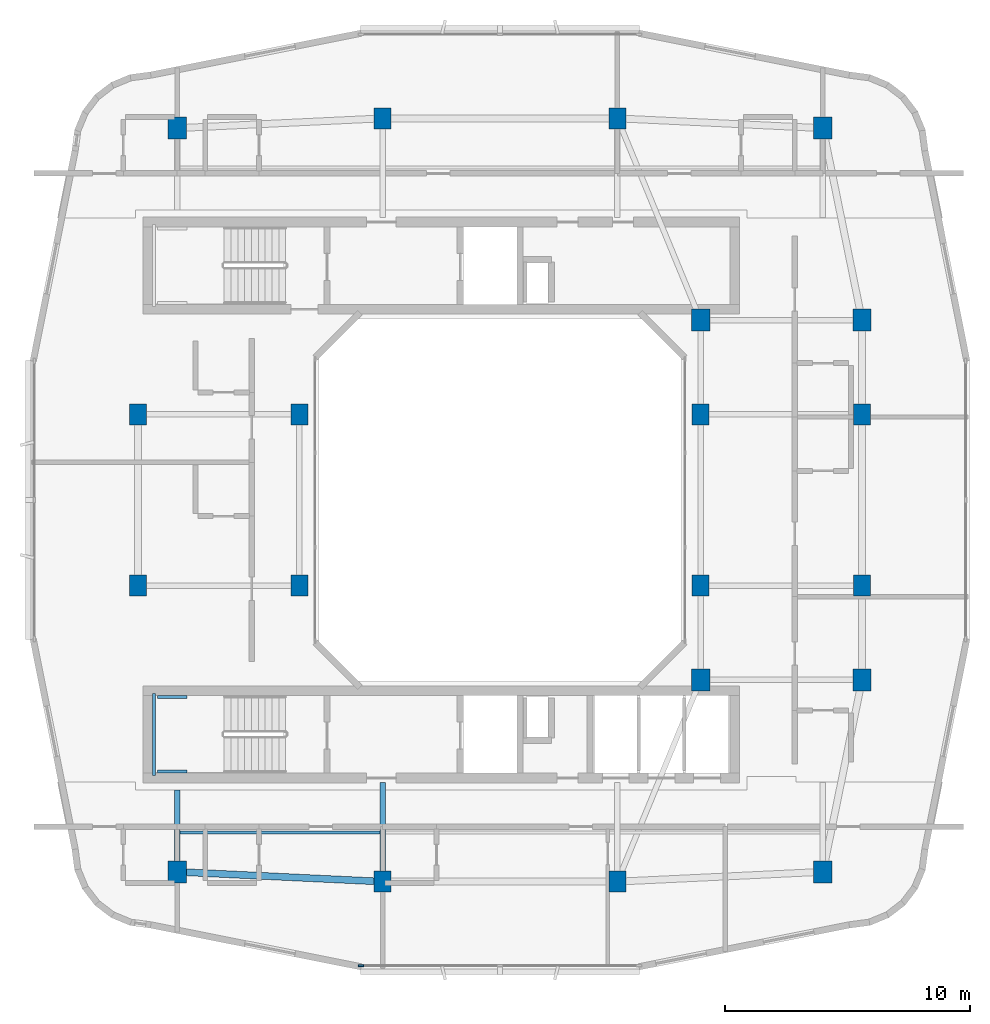
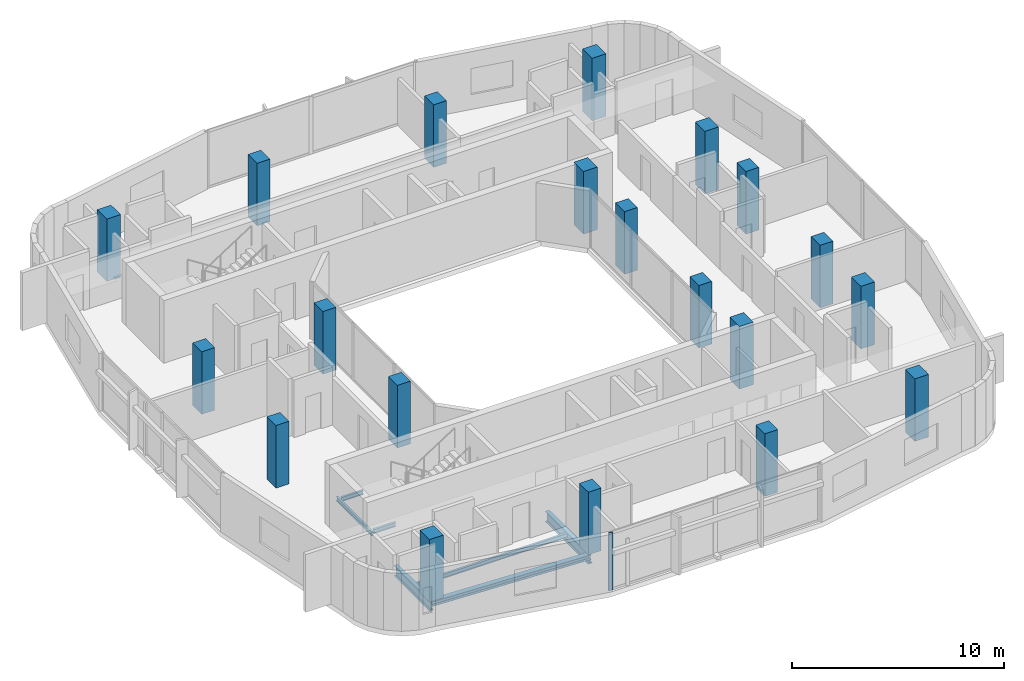
# One storey, part 1 of 14: 20 columns, 7 beams, 1 member, 1 element without a shape of its own.
"""IFC4 building model written with IfcOpenShell, lengths in metres."""

from ifc_helpers import new_model, si_unit, derived_unit, direction, frame, origin, origin_2d, place, context, subcontext, project, spatial, rectangle, i_section, extrude, material, layer, layer_set, material_profile, profile_set, type_object, element, aggregate, save


model = new_model("IFC4")

# Units and contexts
model_context = context("Model", 3, precision=1e-05, world=origin(), true_north=direction((0.0, 1.0)))
body_context = subcontext(model_context, "Body", "Model", "MODEL_VIEW")
ifc_project = project(units=[si_unit("LENGTHUNIT", "METRE"), si_unit("AREAUNIT", "SQUARE_METRE"), si_unit("VOLUMEUNIT", "CUBIC_METRE"), si_unit("PLANEANGLEUNIT", "RADIAN"), si_unit("MASSUNIT", "GRAM", prefix="KILO"), derived_unit("THERMALTRANSMITTANCEUNIT", [(si_unit("POWERUNIT", "WATT"), 1), (si_unit("LENGTHUNIT", "METRE"), -2), (si_unit("THERMODYNAMICTEMPERATUREUNIT", "KELVIN"), -1)])], contexts=[model_context])

# Site, building, storey
site_placement = place(None, origin())
site = spatial("IfcSite", under=ifc_project, at=site_placement, CompositionType="ELEMENT")
building_placement = place(site_placement, origin())
building = spatial("IfcBuilding", under=site, at=building_placement, Name="Kivonza Crest Hotel", CompositionType="ELEMENT")
storey_placement = place(building_placement, frame((0.0, 0.0, 202.699951171875)))
storey = spatial("IfcBuildingStorey", under=building, at=storey_placement, Name="L55", CompositionType="ELEMENT", Elevation=202.699951171875)

# Columns
ifc_material_1 = material(Name="Concrete C50/60", Category="concrete")
ifc_material_profile_1 = material_profile(ifc_material_1, rectangle(XDim=0.699951171875, YDim=0.85009765625, at=origin_2d()), Name="RC 850x700")
ifc_profile_set_1 = profile_set([ifc_material_profile_1], Name="Concrete C50/60")
column_type_1 = type_object("IfcColumnType", Name="CL-RC-850x700", PredefinedType="COLUMN", material=ifc_profile_set_1)
for number, where, z_axis, x_axis, name in (
    (1, (16.199951171875, 9.39990234375, 0.0), (0.0, 0.0, 1.0), (1.0, 0.0, 0.0), "Tower T1 L55 column S1"),
    (2, (25.800048828125, 9.39990234375, 0.0), (0.0, 0.0, 1.0), (1.0, 0.0, 0.0), "Tower T1 L55 column S2"),
    (3, (16.199951171875, 40.60009765625, 0.0), (0.0, 0.0, 1.0), (1.0, 0.0, 0.0), "Tower T1 L55 column N1"),
    (4, (25.800048828125, 40.60009765625, 0.0), (0.0, 0.0, 1.0), (1.0, 0.0, 0.0), "Tower T1 L55 column N2"),
    (5, (6.199951171875, 21.5, 0.0), (0.0, 0.0, 1.0), (1.0, 0.0, 0.0), "Tower T1 L55 column W1"),
    (6, (6.199951171875, 28.5, 0.0), (0.0, 0.0, 1.0), (1.0, 0.0, 0.0), "Tower T1 L55 column W2"),
    (7, (35.800048828125, 21.5, 0.0), (0.0, 0.0, 1.0), (1.0, 0.0, 0.0), "Tower T1 L55 column E1"),
    (8, (35.800048828125, 28.5, 0.0), (0.0, 0.0, 1.0), (1.0, 0.0, 0.0), "Tower T1 L55 column E2"),
    (9, (12.800048828125, 21.5, 0.0), (0.0, 0.0, 1.0), (1.0, 0.0, 0.0), "Tower T1 L55 column WL1"),
    (10, (12.800048828125, 28.5, 0.0), (0.0, 0.0, 1.0), (1.0, 0.0, 0.0), "Tower T1 L55 column WL2"),
    (11, (29.199951171875, 21.5, 0.0), (0.0, 0.0, 1.0), (1.0, 0.0, 0.0), "Tower T1 L55 column WR1"),
    (12, (29.199951171875, 28.5, 0.0), (0.0, 0.0, 1.0), (1.0, 0.0, 0.0), "Tower T1 L55 column WR2"),
):
    element("IfcColumn", number, at=place(storey_placement, frame(where, z_axis=z_axis, x_axis=x_axis)), inside=storey, type_object=column_type_1, Name=name, PredefinedType="COLUMN", context=body_context, shape_type="SweptSolid", body=[
        extrude(rectangle(XDim=0.699951171875, YDim=0.85009765625, at=origin_2d()), origin(), (0.0, 0.0, 1.0), 3.60009765625),
    ])
ifc_material_profile_2 = material_profile(ifc_material_1, rectangle(XDim=0.75, YDim=0.89990234375, at=origin_2d()), Name="RC 900x750")
ifc_profile_set_2 = profile_set([ifc_material_profile_2], Name="Concrete C50/60")
column_type_2 = type_object("IfcColumnType", Name="CL-RC-900x750", PredefinedType="COLUMN", material=ifc_profile_set_2)
for number, where, z_axis, x_axis, name in (
    (13, (7.800048828125, 9.800048828125, 0.0), (0.0, 0.0, 1.0), (1.0, 0.0, 0.0), "Tower T1 L55 column SW"),
    (14, (34.199951171875, 9.800048828125, 0.0), (0.0, 0.0, 1.0), (1.0, 0.0, 0.0), "Tower T1 L55 column SE"),
    (15, (34.199951171875, 40.199951171875, 0.0), (0.0, 0.0, 1.0), (1.0, 0.0, 0.0), "Tower T1 L55 column NE"),
    (16, (7.800048828125, 40.199951171875, 0.0), (0.0, 0.0, 1.0), (1.0, 0.0, 0.0), "Tower T1 L55 column NW"),
    (17, (35.800048828125, 17.64990234375, 0.0), (0.0, 0.0, 1.0), (1.0, 0.0, 0.0), "Tower T1 L55 column PSE"),
    (18, (35.800048828125, 32.35009765625, 0.0), (0.0, 0.0, 1.0), (1.0, 0.0, 0.0), "Tower T1 L55 column PNE"),
    (19, (29.199951171875, 17.64990234375, 0.0), (0.0, 0.0, 1.0), (1.0, 0.0, 0.0), "Tower T1 L55 column TSE"),
    (20, (29.199951171875, 32.35009765625, 0.0), (0.0, 0.0, 1.0), (1.0, 0.0, 0.0), "Tower T1 L55 column TNE"),
):
    element("IfcColumn", number, at=place(storey_placement, frame(where, z_axis=z_axis, x_axis=x_axis)), inside=storey, type_object=column_type_2, Name=name, PredefinedType="COLUMN", context=body_context, shape_type="SweptSolid", body=[
        extrude(rectangle(XDim=0.75, YDim=0.89990234375, at=origin_2d()), origin(), (0.0, 0.0, 1.0), 3.60009765625),
    ])

# Beams
ifc_material_2 = material(Name="Steel S355", Category="steel")
ifc_material_profile_3 = material_profile(ifc_material_2, i_section(OverallWidth=0.280029296875, OverallDepth=0.280029296875, WebThickness=0.010498046875, FlangeThickness=0.01806640625, FilletRadius=0.02392578125, at=origin_2d()), Name="HEB 280")
ifc_profile_set_3 = profile_set([ifc_material_profile_3], Name="Steel S355")
beam_type_1 = type_object("IfcBeamType", Name="BM-HEB280", PredefinedType="SPANDREL", material=ifc_profile_set_3)
beam_1_placement = place(storey_placement, frame((7.800048828125, 9.800048828125, -0.419921875), z_axis=(0.998867283688, -0.047583080799, 0.0), x_axis=(0.047583080799, 0.998867283688, 0.0)))
element("IfcBeam", 21, at=beam_1_placement, inside=storey, type_object=beam_type_1, Name="Tower T1 L55 perimeter spandrel SW-S1", PredefinedType="SPANDREL", context=body_context, shape_type="SweptSolid", body=[
    extrude(i_section(OverallWidth=0.280029296875, OverallDepth=0.280029296875, WebThickness=0.010498046875, FlangeThickness=0.01806640625, FilletRadius=0.02392578125, at=origin_2d()), origin(), (0.0, 0.0, 1.0), 8.409423828125),
])
ifc_material_profile_4 = material_profile(ifc_material_2, i_section(OverallWidth=0.1201171875, OverallDepth=0.239990234375, WebThickness=0.006103515625, FlangeThickness=0.009765625, FilletRadius=0.014892578125, at=origin_2d()), Name="IPE 240")
ifc_profile_set_4 = profile_set([ifc_material_profile_4], Name="Steel S355")
beam_type_2 = type_object("IfcBeamType", Name="BM-IPE240", PredefinedType="JOIST", material=ifc_profile_set_4)
beam_2_placement = place(storey_placement, frame((7.8798828125, 11.39990234375, -0.39990234375), z_axis=(1.0, 0.0, 0.0), x_axis=(0.0, 1.0, 0.0)))
element("IfcBeam", 22, at=beam_2_placement, inside=storey, type_object=beam_type_2, Name="Tower T1 L55 South-West floor joist", PredefinedType="JOIST", context=body_context, shape_type="SweptSolid", body=[
    extrude(i_section(OverallWidth=0.1201171875, OverallDepth=0.239990234375, WebThickness=0.006103515625, FlangeThickness=0.009765625, FilletRadius=0.014892578125, at=origin_2d()), origin(), (0.0, 0.0, 1.0), 8.240234375),
])
ifc_material_profile_5 = material_profile(ifc_material_2, i_section(OverallWidth=0.219970703125, OverallDepth=0.60009765625, WebThickness=0.011962890625, FlangeThickness=0.01904296875, FilletRadius=0.02392578125, at=origin_2d()), Name="IPE 600")
ifc_profile_set_5 = profile_set([ifc_material_profile_5], Name="Steel S355")
beam_type_3 = type_object("IfcBeamType", Name="BM-IPE600", PredefinedType="BEAM", material=ifc_profile_set_5)
beam_3_placement = place(storey_placement, frame((7.800048828125, 9.800048828125, -0.579833984375), z_axis=(0.0, 1.0, 0.0), x_axis=(-1.0, 0.0, 0.0)))
element("IfcBeam", 23, at=beam_3_placement, inside=storey, type_object=beam_type_3, Name="Tower T1 L55 radial core girder RSW", PredefinedType="BEAM", context=body_context, shape_type="SweptSolid", body=[
    extrude(i_section(OverallWidth=0.219970703125, OverallDepth=0.60009765625, WebThickness=0.011962890625, FlangeThickness=0.01904296875, FilletRadius=0.02392578125, at=origin_2d()), origin(), (0.0, 0.0, 1.0), 3.349853515625),
])
beam_4_placement = place(storey_placement, frame((16.199951171875, 9.39990234375, -0.579833984375), z_axis=(0.0, 1.0, 0.0), x_axis=(-1.0, 0.0, 0.0)))
element("IfcBeam", 24, at=beam_4_placement, inside=storey, type_object=beam_type_3, Name="Tower T1 L55 radial core girder RS1", PredefinedType="BEAM", context=body_context, shape_type="SweptSolid", body=[
    extrude(i_section(OverallWidth=0.219970703125, OverallDepth=0.60009765625, WebThickness=0.011962890625, FlangeThickness=0.01904296875, FilletRadius=0.02392578125, at=origin_2d()), origin(), (0.0, 0.0, 1.0), 4.050048828125),
])
ifc_material_profile_6 = material_profile(ifc_material_2, i_section(OverallWidth=0.1201171875, OverallDepth=0.239990234375, WebThickness=0.006103515625, FlangeThickness=0.009765625, FilletRadius=0.014892578125, at=origin_2d()), Name="IPE 240")
ifc_profile_set_6 = profile_set([ifc_material_profile_6], Name="Steel S355")
beam_type_4 = type_object("IfcBeamType", Name="BM-LLDG-240", PredefinedType="BEAM", material=ifc_profile_set_6)
beam_5_placement = place(storey_placement, frame((6.860107421875, 13.739990234375, 1.47998046875), z_axis=(0.0, 1.0, 0.0), x_axis=(-1.0, 0.0, 0.0)))
element("IfcBeam", 25, at=beam_5_placement, inside=storey, type_object=beam_type_4, Name="Stair ST-T1-S L55 West landing corbel", PredefinedType="BEAM", context=body_context, shape_type="SweptSolid", body=[
    extrude(i_section(OverallWidth=0.1201171875, OverallDepth=0.239990234375, WebThickness=0.006103515625, FlangeThickness=0.009765625, FilletRadius=0.014892578125, at=origin_2d()), origin(), (0.0, 0.0, 1.0), 3.360107421875),
])
for number, where, z_axis, x_axis, name in (
    (26, (6.989990234375, 13.89990234375, 1.47998046875), (1.0, 0.0, 0.0), (0.0, 1.0, 0.0), "Stair ST-T1-S L55 South landing corbel"),
    (27, (6.989990234375, 16.93994140625, 1.47998046875), (1.0, 0.0, 0.0), (0.0, 1.0, 0.0), "Stair ST-T1-S L55 North landing corbel"),
):
    element("IfcBeam", number, at=place(storey_placement, frame(where, z_axis=z_axis, x_axis=x_axis)), inside=storey, type_object=beam_type_4, Name=name, PredefinedType="BEAM", context=body_context, shape_type="SweptSolid", body=[
        extrude(i_section(OverallWidth=0.1201171875, OverallDepth=0.239990234375, WebThickness=0.006103515625, FlangeThickness=0.009765625, FilletRadius=0.014892578125, at=origin_2d()), origin(), (0.0, 0.0, 1.0), 1.2099609375),
    ])

# Curtain wall, member
ifc_material_3 = material(Name="Anodised bronze aluminium and low-E double glazing", Category="aluminium")
ifc_layer = layer(ifc_material_3, 0.179931640625)
ifc_layer_set = layer_set([ifc_layer], Name="Anodised bronze aluminium and low-E double glazing")
curtain_wall_type = type_object("IfcCurtainWallType", Name="CW-SYS-3", PredefinedType="NOTDEFINED", material=ifc_layer_set)
curtain_wall_placement = place(storey_placement, origin())
curtain_wall = element("IfcCurtainWall", 28, at=curtain_wall_placement, inside=storey, type_object=curtain_wall_type, Name="L55 unitised curtain wall CW-T1-L55-08", PredefinedType="NOTDEFINED")
ifc_material_4 = material(Name="Anodised bronze aluminium", Category="aluminium")
ifc_material_profile_7 = material_profile(ifc_material_4, rectangle(XDim=0.074951171875, YDim=0.219970703125, at=origin_2d()), Name="CW-M 75x220")
ifc_profile_set_7 = profile_set([ifc_material_profile_7], Name="Anodised bronze aluminium")
member_type = type_object("IfcMemberType", Name="CW-MUL-75x220", PredefinedType="MULLION", material=ifc_profile_set_7)
member_placement = place(storey_placement, frame((15.3173828125, 5.9599609375, 0.0), z_axis=(0.0, 0.0, 1.0), x_axis=(0.0, 1.0, 0.0)))
member = element("IfcMember", 29, at=member_placement, type_object=member_type, Name="CW-3 mullion 1", PredefinedType="MULLION", context=body_context, shape_type="SweptSolid", body=[
    extrude(rectangle(XDim=0.074951171875, YDim=0.219970703125, at=origin_2d()), origin(), (0.0, 0.0, 1.0), 3.320068359375),
])
aggregate(curtain_wall, [member])

save(model, "model.ifc")
